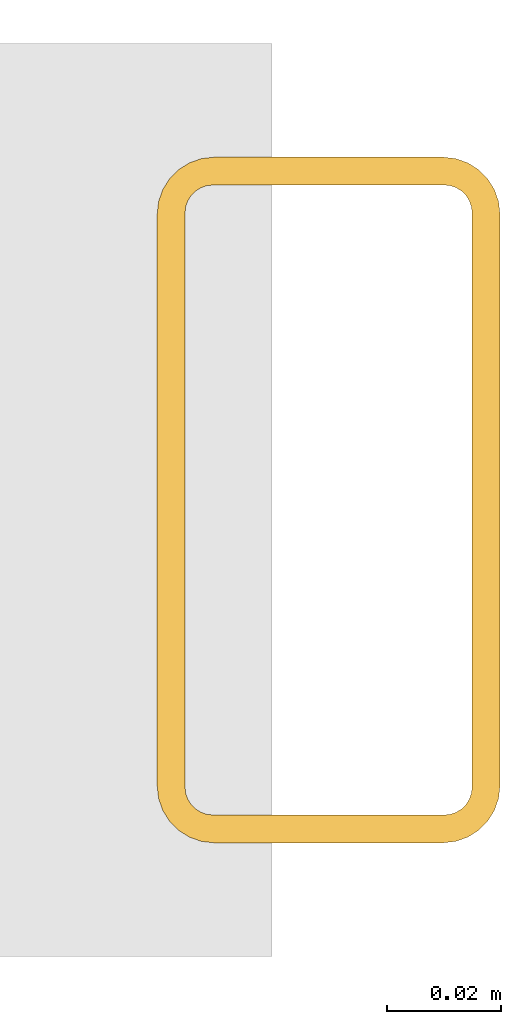
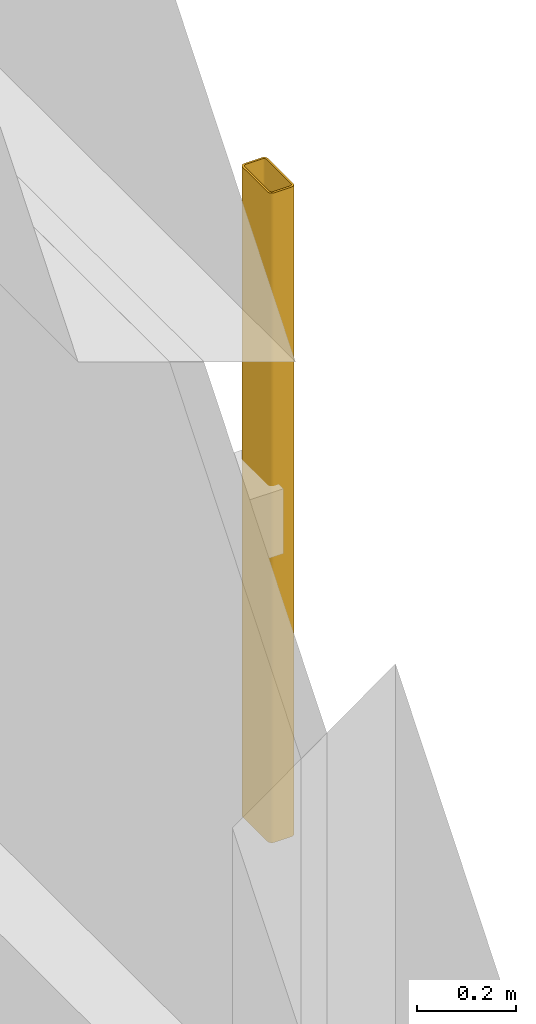
# One storey, part 106 of 109: 1 shading device.
"""IFC4 building model written with IfcOpenShell, lengths in metres."""

from ifc_helpers import new_model, si_unit, derived_unit, direction, frame, origin, origin_2d, place, context, subcontext, project, spatial, hollow_rectangle, extrude, material, material_profile, profile_set, type_object, element, save


model = new_model("IFC4")

# Units and contexts
model_context = context("Model", 3, precision=1e-05, world=origin(), true_north=direction((0.0, 1.0)))
body_context = subcontext(model_context, "Body", "Model", "MODEL_VIEW")
ifc_project = project(units=[si_unit("LENGTHUNIT", "METRE"), si_unit("AREAUNIT", "SQUARE_METRE"), si_unit("VOLUMEUNIT", "CUBIC_METRE"), si_unit("PLANEANGLEUNIT", "RADIAN"), si_unit("MASSUNIT", "GRAM", prefix="KILO"), derived_unit("THERMALTRANSMITTANCEUNIT", [(si_unit("MASSUNIT", "GRAM", prefix="KILO"), 1), (si_unit("TIMEUNIT", "SECOND"), -3), (si_unit("THERMODYNAMICTEMPERATUREUNIT", "KELVIN"), -1)])], contexts=[model_context])

# Site, building, storey
site_placement = place(None, origin())
site = spatial("IfcSite", under=ifc_project, at=site_placement, CompositionType="ELEMENT")
building_placement = place(site_placement, origin())
building = spatial("IfcBuilding", under=site, at=building_placement, Name="Kharveza Railside Sports Centre", CompositionType="ELEMENT")
storey_placement = place(building_placement, frame((0.0, 0.0, 4.5)))
storey = spatial("IfcBuildingStorey", under=building, at=storey_placement, Name="L01", CompositionType="ELEMENT", Elevation=4.5)

# Shading device
ifc_material = material(Name="Anodised aluminium 6063-T6", Category="aluminium")
ifc_material_profile = material_profile(ifc_material, hollow_rectangle(XDim=0.06005859375, YDim=0.1201171875, WallThickness=0.0048828125, InnerFilletRadius=0.0048828125, OuterFilletRadius=0.010009765625, at=origin_2d()), Name="RHS 60x120x5.0")
ifc_profile_set = profile_set([ifc_material_profile], Name="Anodised aluminium 6063-T6")
shading_device_type = type_object("IfcShadingDeviceType", Name="SD-LV01", PredefinedType="JALOUSIE", material=ifc_profile_set)
shading_device_placement = place(storey_placement, frame((168.469970703125, 90.0, 0.85009765625), z_axis=(0.0, 0.0, 1.0), x_axis=(1.0, 0.0, 0.0)))
element("IfcShadingDevice", 1, at=shading_device_placement, inside=storey, type_object=shading_device_type, Name="SD-FIN-047", PredefinedType="JALOUSIE", context=body_context, shape_type="SweptSolid", body=[
    extrude(hollow_rectangle(XDim=0.06005859375, YDim=0.1201171875, WallThickness=0.0048828125, InnerFilletRadius=0.0048828125, OuterFilletRadius=0.010009765625, at=origin_2d()), origin(), (0.0, 0.0, 1.0), 1.599853515625),
])

save(model, "model.ifc")
